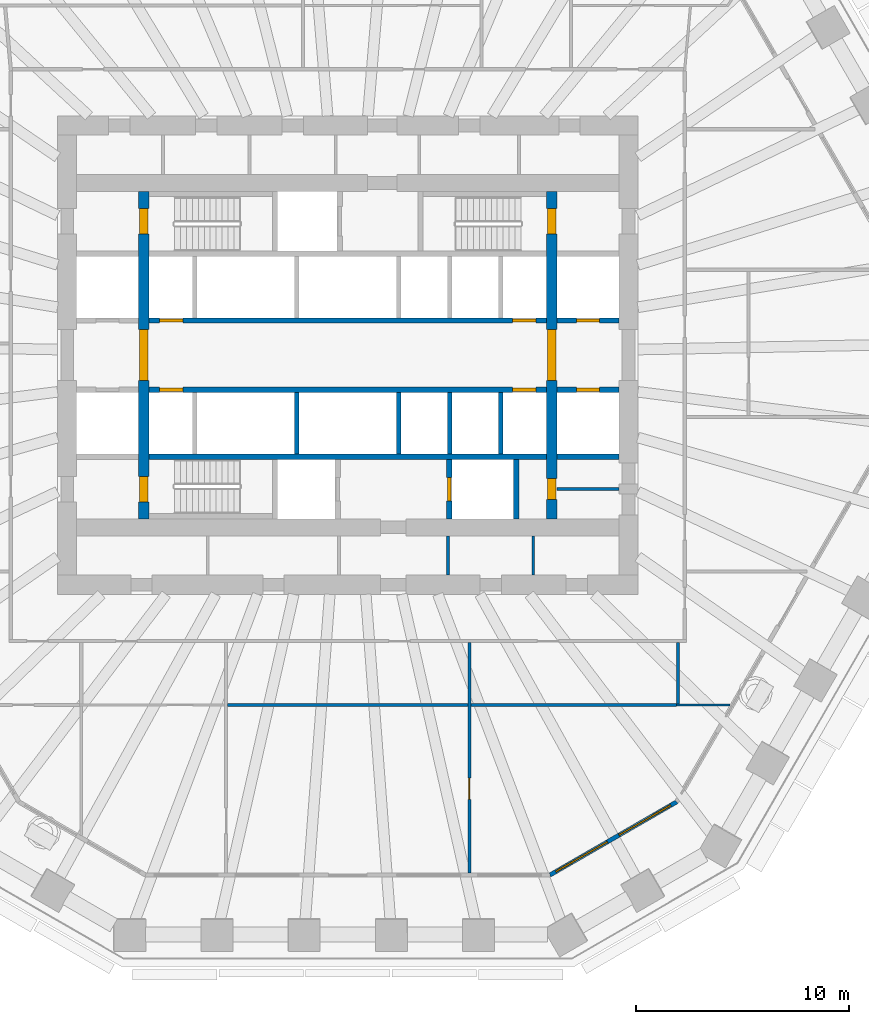
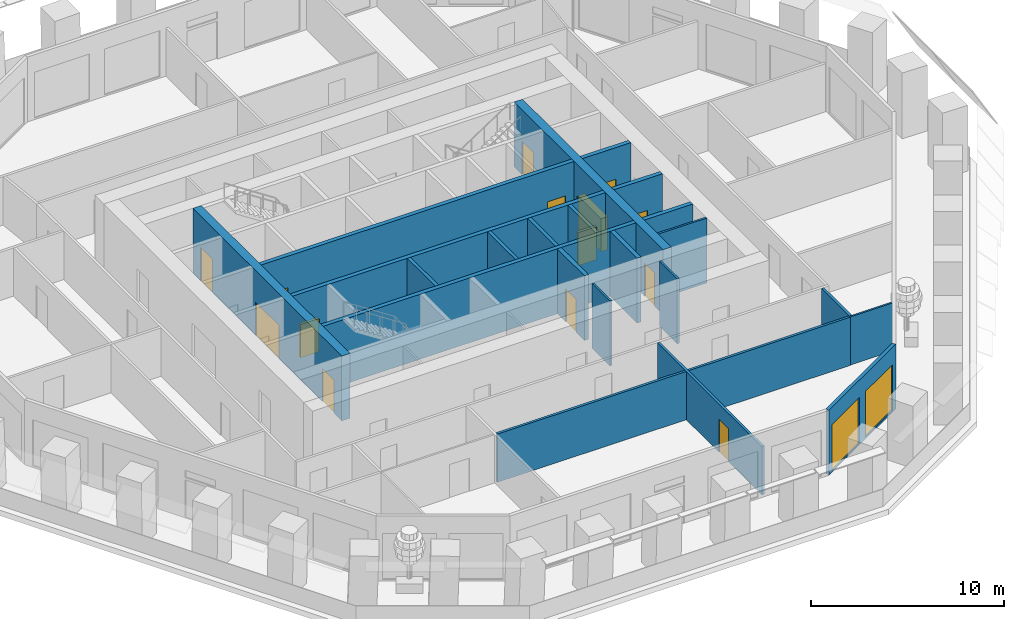
# One storey, part 5 of 13: 22 walls, 14 doors, 2 windows, 16 openings.
"""IFC4 building model written with IfcOpenShell, lengths in metres."""

from ifc_helpers import new_model, si_unit, direction, frame, frame_2d, origin, place, context, subcontext, project, spatial, polyline, rectangle, outline, extrude, material, layer, layer_set, type_object, element, fill, save


model = new_model("IFC4")

# Units and contexts
model_context = context("Model", 3, precision=1e-05, world=origin(), true_north=direction((0.0, 1.0)))
body_context = subcontext(model_context, "Body", "Model", "MODEL_VIEW")
ifc_project = project(units=[si_unit("LENGTHUNIT", "METRE"), si_unit("AREAUNIT", "SQUARE_METRE"), si_unit("VOLUMEUNIT", "CUBIC_METRE"), si_unit("PLANEANGLEUNIT", "RADIAN"), si_unit("MASSUNIT", "GRAM", prefix="KILO")], contexts=[model_context])

# Site, building, storey
site_placement = place(None, origin())
site = spatial("IfcSite", under=ifc_project, at=site_placement, CompositionType="ELEMENT")
building_placement = place(site_placement, origin())
building = spatial("IfcBuilding", under=site, at=building_placement, Name="Frailejon Research Tower", CompositionType="ELEMENT")
storey_placement = place(building_placement, frame((0.0, 0.0, 32.199951171875)))
storey = spatial("IfcBuildingStorey", under=building, at=storey_placement, Name="L07", CompositionType="ELEMENT", Elevation=32.199951171875)

# Walls
ifc_material_1 = material(Name="Plasterboard on steel studs", Category="steel")
ifc_layer_1 = layer(ifc_material_1, 0.125)
ifc_layer_set_1 = layer_set([ifc_layer_1], Name="Core partition 125")
wall_type_1 = type_object("IfcWallType", Name="Core partition 125", PredefinedType="PARTITIONING", material=ifc_layer_set_1)
wall_1_placement = place(storey_placement, frame((9.85009765625, -6.300048828125, 0.0), z_axis=(0.0, 0.0, 1.0), x_axis=(1.0, 0.0, 0.0)))
element("IfcWall", 1, at=wall_1_placement, inside=storey, type_object=wall_type_1, Name="Core partition", PredefinedType="PARTITIONING", context=body_context, shape_type="SweptSolid", body=[
    extrude(rectangle(XDim=2.89990234375, YDim=0.125, at=frame_2d((1.449951171875, 0.0))), origin(), (0.0, 0.0, 1.0), 4.10009765625),
])
for number, where, z_axis, x_axis, name in (
    (2, (4.71240234375, -10.35009765625, 0.0), (0.0, 0.0, 1.0), (0.0, 1.0, 0.0), "Core partition"),
    (3, (8.731201171875, -10.35009765625, 0.0), (0.0, 0.0, 1.0), (0.0, 1.0, 0.0), "Core partition"),
):
    element("IfcWall", number, at=place(storey_placement, frame(where, z_axis=z_axis, x_axis=x_axis)), inside=storey, type_object=wall_type_1, Name=name, PredefinedType="PARTITIONING", context=body_context, shape_type="SweptSolid", body=[
        extrude(rectangle(XDim=1.85009765625, YDim=0.125, at=frame_2d((0.925048828125, 0.0))), origin(), (0.0, 0.0, 1.0), 4.10009765625),
    ])

# Wall, openings, doors
ifc_material_2 = material(Name="Concrete C70/85", Category="concrete")
ifc_layer_2 = layer(ifc_material_2, 0.5)
ifc_layer_set_2 = layer_set([ifc_layer_2], Name="Core shear wall 500 C70/85")
wall_type_2 = type_object("IfcWallType", Name="Core shear wall 500 C70/85", PredefinedType="SHEAR", material=ifc_layer_set_2)
wall_2_placement = place(storey_placement, frame((-9.60009765625, -7.699951171875, 0.0), z_axis=(0.0, 0.0, 1.0), x_axis=(0.0, 1.0, 0.0)))
wall_2 = element("IfcWall", 4, at=wall_2_placement, inside=storey, type_object=wall_type_2, Name="Core shear wall", PredefinedType="SHEAR", context=body_context, shape_type="SweptSolid", body=[
    extrude(rectangle(XDim=15.39990234375, YDim=0.5, at=frame_2d((7.699951171875, 0.0))), origin(), (0.0, 0.0, 1.0), 4.10009765625),
])
opening_1_placement = place(wall_2_placement, frame((6.5, 0.0, 0.0)))
opening_1 = element("IfcOpeningElement", 5, at=opening_1_placement, cuts=wall_2, Name="Opening D2", PredefinedType="OPENING", context=body_context, shape_type="SweptSolid", body=[
    extrude(rectangle(XDim=2.39990234375, YDim=2.10009765625, at=frame_2d((1.199951171875, 1.050048828125))), frame((0.0, 0.260009765625, 0.0), z_axis=(0.0, -1.0, 0.0), x_axis=(1.0, 0.0, 0.0)), (0.0, 0.0, 1.0), 0.52001953125),
])
opening_2_placement = place(wall_2_placement, frame((13.39990234375, 0.0, 0.0)))
opening_2 = element("IfcOpeningElement", 6, at=opening_2_placement, cuts=wall_2, Name="Opening D1", PredefinedType="OPENING", context=body_context, shape_type="SweptSolid", body=[
    extrude(rectangle(XDim=1.199951171875, YDim=2.10009765625, at=frame_2d((0.60009765625, 1.050048828125))), frame((0.0, 0.260009765625, 0.0), z_axis=(0.0, -1.0, 0.0), x_axis=(1.0, 0.0, 0.0)), (0.0, 0.0, 1.0), 0.52001953125),
])
opening_3_placement = place(wall_2_placement, frame((0.800048828125, 0.0, 0.0)))
opening_3 = element("IfcOpeningElement", 7, at=opening_3_placement, cuts=wall_2, Name="Opening D1", PredefinedType="OPENING", context=body_context, shape_type="SweptSolid", body=[
    extrude(rectangle(XDim=1.199951171875, YDim=2.10009765625, at=frame_2d((0.60009765625, 1.050048828125))), frame((0.0, 0.260009765625, 0.0), z_axis=(0.0, -1.0, 0.0), x_axis=(1.0, 0.0, 0.0)), (0.0, 0.0, 1.0), 0.52001953125),
])
ifc_material_3 = material(Name="Steel", Category="steel")
door_type_1 = type_object("IfcDoorType", Name="Lobby double door", OperationType="DOUBLE_DOOR_SINGLE_SWING", PredefinedType="DOOR", material=ifc_material_3)
door_1_placement = place(opening_1_placement, origin())
door_1 = element("IfcDoor", 8, at=door_1_placement, inside=storey, type_object=door_type_1, Name="Lobby door", OperationType="DOUBLE_DOOR_SINGLE_SWING", OverallHeight=2.10009765625, OverallWidth=2.39990234375, PredefinedType="DOOR", context=body_context, shape_type="SweptSolid", body=[
    extrude(rectangle(XDim=2.39990234375, YDim=2.10009765625, at=frame_2d((1.199951171875, 1.050048828125))), frame((0.0, 0.199951171875, 0.0), z_axis=(0.0, -1.0, 0.0), x_axis=(1.0, 0.0, 0.0)), (0.0, 0.0, 1.0), 0.39990234375),
])
fill(opening_1, door_1)
ifc_material_4 = material(Name="Steel", Category="steel")
door_type_2 = type_object("IfcDoorType", Name="Stair door", OperationType="SINGLE_SWING_LEFT", PredefinedType="DOOR", material=ifc_material_4)
door_2_placement = place(opening_2_placement, origin())
door_2 = element("IfcDoor", 9, at=door_2_placement, inside=storey, type_object=door_type_2, Name="Stair door ST1", OperationType="SINGLE_SWING_RIGHT", OverallHeight=2.10009765625, OverallWidth=1.199951171875, PredefinedType="DOOR", context=body_context, shape_type="SweptSolid", body=[
    extrude(rectangle(XDim=1.199951171875, YDim=2.10009765625, at=frame_2d((0.60009765625, 1.050048828125))), frame((0.0, 0.199951171875, 0.0), z_axis=(0.0, -1.0, 0.0), x_axis=(1.0, 0.0, 0.0)), (0.0, 0.0, 1.0), 0.39990234375),
])
fill(opening_2, door_2)
door_3_placement = place(opening_3_placement, origin())
door_3 = element("IfcDoor", 10, at=door_3_placement, inside=storey, type_object=door_type_2, Name="Stair door ST2", OperationType="SINGLE_SWING_RIGHT", OverallHeight=2.10009765625, OverallWidth=1.199951171875, PredefinedType="DOOR", context=body_context, shape_type="SweptSolid", body=[
    extrude(rectangle(XDim=1.199951171875, YDim=2.10009765625, at=frame_2d((0.60009765625, 1.050048828125))), frame((0.0, 0.199951171875, 0.0), z_axis=(0.0, -1.0, 0.0), x_axis=(1.0, 0.0, 0.0)), (0.0, 0.0, 1.0), 0.39990234375),
])
fill(opening_3, door_3)

wall_3_placement = place(storey_placement, frame((9.60009765625, -7.699951171875, 0.0), z_axis=(0.0, 0.0, 1.0), x_axis=(0.0, 1.0, 0.0)))
wall_3 = element("IfcWall", 11, at=wall_3_placement, inside=storey, type_object=wall_type_2, Name="Core shear wall", PredefinedType="SHEAR", context=body_context, shape_type="SweptSolid", body=[
    extrude(rectangle(XDim=15.39990234375, YDim=0.5, at=frame_2d((7.699951171875, 0.0))), origin(), (0.0, 0.0, 1.0), 4.10009765625),
])
opening_4_placement = place(wall_3_placement, frame((6.5, 0.0, 0.0)))
opening_4 = element("IfcOpeningElement", 12, at=opening_4_placement, cuts=wall_3, Name="Opening D2", PredefinedType="OPENING", context=body_context, shape_type="SweptSolid", body=[
    extrude(rectangle(XDim=2.39990234375, YDim=2.10009765625, at=frame_2d((1.199951171875, 1.050048828125))), frame((0.0, 0.260009765625, 0.0), z_axis=(0.0, -1.0, 0.0), x_axis=(1.0, 0.0, 0.0)), (0.0, 0.0, 1.0), 0.52001953125),
])
opening_5_placement = place(wall_3_placement, frame((13.39990234375, 0.0, 0.0)))
opening_5 = element("IfcOpeningElement", 13, at=opening_5_placement, cuts=wall_3, Name="Opening D1", PredefinedType="OPENING", context=body_context, shape_type="SweptSolid", body=[
    extrude(rectangle(XDim=1.199951171875, YDim=2.10009765625, at=frame_2d((0.60009765625, 1.050048828125))), frame((0.0, 0.260009765625, 0.0), z_axis=(0.0, -1.0, 0.0), x_axis=(1.0, 0.0, 0.0)), (0.0, 0.0, 1.0), 0.52001953125),
])
opening_6_placement = place(wall_3_placement, frame((0.89990234375, 0.0, 0.0)))
opening_6 = element("IfcOpeningElement", 14, at=opening_6_placement, cuts=wall_3, Name="Opening D4", PredefinedType="OPENING", context=body_context, shape_type="SweptSolid", body=[
    extrude(rectangle(XDim=1.0, YDim=2.10009765625, at=frame_2d((0.5, 1.050048828125))), frame((0.0, 0.260009765625, 0.0), z_axis=(0.0, -1.0, 0.0), x_axis=(1.0, 0.0, 0.0)), (0.0, 0.0, 1.0), 0.52001953125),
])
door_4_placement = place(opening_4_placement, origin())
door_4 = element("IfcDoor", 15, at=door_4_placement, inside=storey, type_object=door_type_1, Name="Lobby door", OperationType="DOUBLE_DOOR_SINGLE_SWING", OverallHeight=2.10009765625, OverallWidth=2.39990234375, PredefinedType="DOOR", context=body_context, shape_type="SweptSolid", body=[
    extrude(rectangle(XDim=2.39990234375, YDim=2.10009765625, at=frame_2d((1.199951171875, 1.050048828125))), frame((0.0, 0.199951171875, 0.0), z_axis=(0.0, -1.0, 0.0), x_axis=(1.0, 0.0, 0.0)), (0.0, 0.0, 1.0), 0.39990234375),
])
fill(opening_4, door_4)
ifc_material_5 = material(Name="Steel", Category="steel")
door_type_3 = type_object("IfcDoorType", Name="Service door", OperationType="SINGLE_SWING_LEFT", PredefinedType="DOOR", material=ifc_material_5)
door_5_placement = place(opening_6_placement, origin())
door_5 = element("IfcDoor", 16, at=door_5_placement, inside=storey, type_object=door_type_3, Name="Riser door", OperationType="SINGLE_SWING_RIGHT", OverallHeight=2.10009765625, OverallWidth=1.0, PredefinedType="DOOR", context=body_context, shape_type="SweptSolid", body=[
    extrude(rectangle(XDim=1.0, YDim=2.10009765625, at=frame_2d((0.5, 1.050048828125))), frame((0.0, 0.199951171875, 0.0), z_axis=(0.0, -1.0, 0.0), x_axis=(1.0, 0.0, 0.0)), (0.0, 0.0, 1.0), 0.39990234375),
])
fill(opening_6, door_5)
door_6_placement = place(opening_5_placement, origin())
door_6 = element("IfcDoor", 17, at=door_6_placement, inside=storey, type_object=door_type_2, Name="Stair door ST3", OperationType="SINGLE_SWING_RIGHT", OverallHeight=2.10009765625, OverallWidth=1.199951171875, PredefinedType="DOOR", context=body_context, shape_type="SweptSolid", body=[
    extrude(rectangle(XDim=1.199951171875, YDim=2.10009765625, at=frame_2d((0.60009765625, 1.050048828125))), frame((0.0, 0.199951171875, 0.0), z_axis=(0.0, -1.0, 0.0), x_axis=(1.0, 0.0, 0.0)), (0.0, 0.0, 1.0), 0.39990234375),
])
fill(opening_5, door_6)

# Wall
ifc_material_6 = material(Name="Gypsum board and masonry partition", Category="masonry")
ifc_layer_3 = layer(ifc_material_6, 0.14990234375)
ifc_layer_set_3 = layer_set([ifc_layer_3], Name="Laboratory partition, blockwork 150")
wall_type_3 = type_object("IfcWallType", Name="Laboratory partition, blockwork 150", PredefinedType="PARTITIONING", material=ifc_layer_set_3)
wall_4_placement = place(storey_placement, frame((-5.647216796875, -16.449951171875, 0.0), z_axis=(0.0, 0.0, 1.0), x_axis=(1.0, 0.0, 0.0)))
element("IfcWall", 18, at=wall_4_placement, inside=storey, type_object=wall_type_3, Name="T:IW:L07:020", PredefinedType="PARTITIONING", context=body_context, shape_type="SweptSolid", body=[
    extrude(rectangle(XDim=21.109375, YDim=0.14990234375, at=frame_2d((10.5546875, 0.0))), origin(), (0.0, 0.0, 1.0), 3.050048828125),
])

# Wall, opening, door
wall_5_placement = place(storey_placement, frame((5.72216796875, -24.35302734375, 0.0), z_axis=(0.0, 0.0, 1.0), x_axis=(0.0, 1.0, 0.0)))
wall_5 = element("IfcWall", 19, at=wall_5_placement, inside=storey, type_object=wall_type_3, Name="T:IW:L07:023", PredefinedType="PARTITIONING", context=body_context, shape_type="SweptSolid", body=[
    extrude(rectangle(XDim=10.828125, YDim=0.14990234375, at=frame_2d((5.4140625, 0.0))), origin(), (0.0, 0.0, 1.0), 3.050048828125),
])
opening_7_placement = place(wall_5_placement, frame((3.45166015625, 0.0, 0.0)))
opening_7 = element("IfcOpeningElement", 20, at=opening_7_placement, cuts=wall_5, Name="Opening D1341", PredefinedType="OPENING", context=body_context, shape_type="SweptSolid", body=[
    extrude(rectangle(XDim=1.0, YDim=2.10009765625, at=frame_2d((0.5, 1.050048828125))), frame((0.0, 0.0849609375, 0.0), z_axis=(0.0, -1.0, 0.0), x_axis=(1.0, 0.0, 0.0)), (0.0, 0.0, 1.0), 0.169921875),
])
ifc_material_7 = material(Name="Timber door leaf", Category="wood")
door_type_4 = type_object("IfcDoorType", Name="Door single leaf, timber, steel frame 1000", OperationType="NOTDEFINED", PredefinedType="DOOR", material=ifc_material_7)
door_7_placement = place(opening_7_placement, origin())
door_7 = element("IfcDoor", 21, at=door_7_placement, inside=storey, type_object=door_type_4, Name="D1341", OperationType="SINGLE_SWING_RIGHT", OverallHeight=2.10009765625, OverallWidth=1.0, PredefinedType="DOOR", context=body_context, shape_type="SweptSolid", body=[
    extrude(rectangle(XDim=1.0, YDim=2.10009765625, at=frame_2d((0.5, 1.050048828125))), frame((0.0, 0.02490234375, 0.0), z_axis=(0.0, -1.0, 0.0), x_axis=(1.0, 0.0, 0.0)), (0.0, 0.0, 1.0), 0.050048828125),
])
fill(opening_7, door_7)

# Walls
wall_6_placement = place(storey_placement, frame((15.537109375, -16.39990234375, 0.0), z_axis=(0.0, 0.0, 1.0), x_axis=(0.0, 1.0, 0.0)))
element("IfcWall", 22, at=wall_6_placement, inside=storey, type_object=wall_type_3, Name="T:IW:L07:024", PredefinedType="PARTITIONING", context=body_context, shape_type="SweptSolid", body=[
    extrude(rectangle(XDim=2.875, YDim=0.14990234375, at=frame_2d((1.4375, 0.0))), origin(), (0.0, 0.0, 1.0), 3.050048828125),
])
ifc_material_8 = material(Name="Gypsum board and masonry partition", Category="masonry")
ifc_layer_4 = layer(ifc_material_8, 0.10009765625)
ifc_layer_set_4 = layer_set([ifc_layer_4], Name="Partition, gypsum on steel studs 100")
wall_type_4 = type_object("IfcWallType", Name="Partition, gypsum on steel studs 100", PredefinedType="PARTITIONING", material=ifc_layer_set_4)
wall_7_placement = place(storey_placement, frame((15.462158203125, -16.449951171875, 0.0), z_axis=(0.0, 0.0, 1.0), x_axis=(1.0, 0.0, 0.0)))
element("IfcWall", 23, at=wall_7_placement, inside=storey, type_object=wall_type_4, Name="T:IW:L07:031", PredefinedType="PARTITIONING", context=body_context, shape_type="SweptSolid", body=[
    extrude(rectangle(XDim=2.5224609375, YDim=0.10009765625, at=frame_2d((1.26123046875, 0.0))), origin(), (0.0, 0.0, 1.0), 3.050048828125),
])
ifc_material_9 = material(Name="Concrete C70/85", Category="concrete")
ifc_layer_5 = layer(ifc_material_9, 0.199951171875)
ifc_layer_set_5 = layer_set([ifc_layer_5], Name="Shaft wall 200 C70/85")
wall_type_5 = type_object("IfcWallType", Name="Shaft wall 200 C70/85", PredefinedType="SOLIDWALL", material=ifc_layer_set_5)
for number, where, z_axis, x_axis, name in (
    (24, (-2.39990234375, -4.64990234375, 0.0), (0.0, 0.0, 1.0), (0.0, 1.0, 0.0), "Shaft wall"),
    (25, (2.39990234375, -4.64990234375, 0.0), (0.0, 0.0, 1.0), (0.0, 1.0, 0.0), "Shaft wall"),
    (26, (4.800048828125, -4.64990234375, 0.0), (0.0, 0.0, 1.0), (0.0, 1.0, 0.0), "Shaft wall"),
    (27, (7.199951171875, -4.64990234375, 0.0), (0.0, 0.0, 1.0), (0.0, 1.0, 0.0), "Shaft wall"),
):
    element("IfcWall", number, at=place(storey_placement, frame(where, z_axis=z_axis, x_axis=x_axis)), inside=storey, type_object=wall_type_5, Name=name, PredefinedType="SOLIDWALL", context=body_context, shape_type="SweptSolid", body=[
        extrude(rectangle(XDim=2.89990234375, YDim=0.199951171875, at=frame_2d((1.449951171875, 0.0))), origin(), (0.0, 0.0, 1.0), 4.10009765625),
    ])

# Wall, openings, doors
ifc_material_10 = material(Name="Concrete C70/85", Category="concrete")
ifc_layer_6 = layer(ifc_material_10, 0.25)
ifc_layer_set_6 = layer_set([ifc_layer_6], Name="Shaft wall 250 C70/85")
wall_type_6 = type_object("IfcWallType", Name="Shaft wall 250 C70/85", PredefinedType="SOLIDWALL", material=ifc_layer_set_6)
wall_8_placement = place(storey_placement, frame((-9.35009765625, 1.625, 0.0), z_axis=(0.0, 0.0, 1.0), x_axis=(1.0, 0.0, 0.0)))
wall_8 = element("IfcWall", 28, at=wall_8_placement, inside=storey, type_object=wall_type_6, Name="Shaft wall", PredefinedType="SOLIDWALL", context=body_context, shape_type="SweptSolid", body=[
    extrude(rectangle(XDim=18.7001953125, YDim=0.25, at=frame_2d((9.35009765625, 0.0))), origin(), (0.0, 0.0, 1.0), 4.10009765625),
])
opening_8_placement = place(wall_8_placement, frame((0.5, 0.0, 0.0)))
opening_8 = element("IfcOpeningElement", 29, at=opening_8_placement, cuts=wall_8, Name="Opening LD", PredefinedType="OPENING", context=body_context, shape_type="SweptSolid", body=[
    extrude(rectangle(XDim=1.10009765625, YDim=2.10009765625, at=frame_2d((0.550048828125, 1.050048828125))), frame((0.0, 0.135009765625, 0.0), z_axis=(0.0, -1.0, 0.0), x_axis=(1.0, 0.0, 0.0)), (0.0, 0.0, 1.0), 0.27001953125),
])
opening_9_placement = place(wall_8_placement, frame((17.10009765625, 0.0, 0.0)))
opening_9 = element("IfcOpeningElement", 30, at=opening_9_placement, cuts=wall_8, Name="Opening LD", PredefinedType="OPENING", context=body_context, shape_type="SweptSolid", body=[
    extrude(rectangle(XDim=1.10009765625, YDim=2.10009765625, at=frame_2d((0.550048828125, 1.050048828125))), frame((0.0, 0.135009765625, 0.0), z_axis=(0.0, -1.0, 0.0), x_axis=(1.0, 0.0, 0.0)), (0.0, 0.0, 1.0), 0.27001953125),
])
ifc_material_11 = material(Name="Steel", Category="steel")
door_type_5 = type_object("IfcDoorType", Name="Lift landing door", OperationType="DOUBLE_DOOR_SLIDING", PredefinedType="DOOR", material=ifc_material_11)
door_8_placement = place(opening_8_placement, origin())
door_8 = element("IfcDoor", 31, at=door_8_placement, inside=storey, type_object=door_type_5, Name="Lift landing door", OperationType="DOUBLE_DOOR_SLIDING", OverallHeight=2.10009765625, OverallWidth=1.10009765625, PredefinedType="DOOR", context=body_context, shape_type="SweptSolid", body=[
    extrude(rectangle(XDim=1.10009765625, YDim=2.10009765625, at=frame_2d((0.550048828125, 1.050048828125))), frame((0.0, 0.074951171875, 0.0), z_axis=(0.0, -1.0, 0.0), x_axis=(1.0, 0.0, 0.0)), (0.0, 0.0, 1.0), 0.14990234375),
])
fill(opening_8, door_8)
door_9_placement = place(opening_9_placement, origin())
door_9 = element("IfcDoor", 32, at=door_9_placement, inside=storey, type_object=door_type_5, Name="Lift landing door", OperationType="DOUBLE_DOOR_SLIDING", OverallHeight=2.10009765625, OverallWidth=1.10009765625, PredefinedType="DOOR", context=body_context, shape_type="SweptSolid", body=[
    extrude(rectangle(XDim=1.10009765625, YDim=2.10009765625, at=frame_2d((0.550048828125, 1.050048828125))), frame((0.0, 0.074951171875, 0.0), z_axis=(0.0, -1.0, 0.0), x_axis=(1.0, 0.0, 0.0)), (0.0, 0.0, 1.0), 0.14990234375),
])
fill(opening_9, door_9)

# Wall, opening, door
wall_9_placement = place(storey_placement, frame((9.85009765625, 1.625, 0.0), z_axis=(0.0, 0.0, 1.0), x_axis=(1.0, 0.0, 0.0)))
wall_9 = element("IfcWall", 33, at=wall_9_placement, inside=storey, type_object=wall_type_6, Name="Shaft wall", PredefinedType="SOLIDWALL", context=body_context, shape_type="SweptSolid", body=[
    extrude(rectangle(XDim=2.89990234375, YDim=0.25, at=frame_2d((1.449951171875, 0.0))), origin(), (0.0, 0.0, 1.0), 4.10009765625),
])
opening_10_placement = place(wall_9_placement, frame((0.89990234375, 0.0, 0.0)))
opening_10 = element("IfcOpeningElement", 34, at=opening_10_placement, cuts=wall_9, Name="Opening LD", PredefinedType="OPENING", context=body_context, shape_type="SweptSolid", body=[
    extrude(rectangle(XDim=1.10009765625, YDim=2.10009765625, at=frame_2d((0.550048828125, 1.050048828125))), frame((0.0, 0.135009765625, 0.0), z_axis=(0.0, -1.0, 0.0), x_axis=(1.0, 0.0, 0.0)), (0.0, 0.0, 1.0), 0.27001953125),
])
door_10_placement = place(opening_10_placement, origin())
door_10 = element("IfcDoor", 35, at=door_10_placement, inside=storey, type_object=door_type_5, Name="Lift landing door", OperationType="DOUBLE_DOOR_SLIDING", OverallHeight=2.10009765625, OverallWidth=1.10009765625, PredefinedType="DOOR", context=body_context, shape_type="SweptSolid", body=[
    extrude(rectangle(XDim=1.10009765625, YDim=2.10009765625, at=frame_2d((0.550048828125, 1.050048828125))), frame((0.0, 0.074951171875, 0.0), z_axis=(0.0, -1.0, 0.0), x_axis=(1.0, 0.0, 0.0)), (0.0, 0.0, 1.0), 0.14990234375),
])
fill(opening_10, door_10)

# Wall, openings, doors
wall_10_placement = place(storey_placement, frame((-9.35009765625, -1.625, 0.0), z_axis=(0.0, 0.0, 1.0), x_axis=(1.0, 0.0, 0.0)))
wall_10 = element("IfcWall", 36, at=wall_10_placement, inside=storey, type_object=wall_type_6, Name="Shaft wall", PredefinedType="SOLIDWALL", context=body_context, shape_type="SweptSolid", body=[
    extrude(rectangle(XDim=18.7001953125, YDim=0.25, at=frame_2d((9.35009765625, 0.0))), origin(), (0.0, 0.0, 1.0), 4.10009765625),
])
opening_11_placement = place(wall_10_placement, frame((0.5, 0.0, 0.0)))
opening_11 = element("IfcOpeningElement", 37, at=opening_11_placement, cuts=wall_10, Name="Opening LD", PredefinedType="OPENING", context=body_context, shape_type="SweptSolid", body=[
    extrude(rectangle(XDim=1.10009765625, YDim=2.10009765625, at=frame_2d((0.550048828125, 1.050048828125))), frame((0.0, 0.135009765625, 0.0), z_axis=(0.0, -1.0, 0.0), x_axis=(1.0, 0.0, 0.0)), (0.0, 0.0, 1.0), 0.27001953125),
])
opening_12_placement = place(wall_10_placement, frame((17.10009765625, 0.0, 0.0)))
opening_12 = element("IfcOpeningElement", 38, at=opening_12_placement, cuts=wall_10, Name="Opening LD", PredefinedType="OPENING", context=body_context, shape_type="SweptSolid", body=[
    extrude(rectangle(XDim=1.10009765625, YDim=2.10009765625, at=frame_2d((0.550048828125, 1.050048828125))), frame((0.0, 0.135009765625, 0.0), z_axis=(0.0, -1.0, 0.0), x_axis=(1.0, 0.0, 0.0)), (0.0, 0.0, 1.0), 0.27001953125),
])
door_11_placement = place(opening_11_placement, origin())
door_11 = element("IfcDoor", 39, at=door_11_placement, inside=storey, type_object=door_type_5, Name="Lift landing door", OperationType="DOUBLE_DOOR_SLIDING", OverallHeight=2.10009765625, OverallWidth=1.10009765625, PredefinedType="DOOR", context=body_context, shape_type="SweptSolid", body=[
    extrude(rectangle(XDim=1.10009765625, YDim=2.10009765625, at=frame_2d((0.550048828125, 1.050048828125))), frame((0.0, 0.074951171875, 0.0), z_axis=(0.0, -1.0, 0.0), x_axis=(1.0, 0.0, 0.0)), (0.0, 0.0, 1.0), 0.14990234375),
])
fill(opening_11, door_11)
door_12_placement = place(opening_12_placement, origin())
door_12 = element("IfcDoor", 40, at=door_12_placement, inside=storey, type_object=door_type_5, Name="Lift landing door", OperationType="DOUBLE_DOOR_SLIDING", OverallHeight=2.10009765625, OverallWidth=1.10009765625, PredefinedType="DOOR", context=body_context, shape_type="SweptSolid", body=[
    extrude(rectangle(XDim=1.10009765625, YDim=2.10009765625, at=frame_2d((0.550048828125, 1.050048828125))), frame((0.0, 0.074951171875, 0.0), z_axis=(0.0, -1.0, 0.0), x_axis=(1.0, 0.0, 0.0)), (0.0, 0.0, 1.0), 0.14990234375),
])
fill(opening_12, door_12)

# Wall, opening, door
wall_11_placement = place(storey_placement, frame((9.85009765625, -1.625, 0.0), z_axis=(0.0, 0.0, 1.0), x_axis=(1.0, 0.0, 0.0)))
wall_11 = element("IfcWall", 41, at=wall_11_placement, inside=storey, type_object=wall_type_6, Name="Shaft wall", PredefinedType="SOLIDWALL", context=body_context, shape_type="SweptSolid", body=[
    extrude(rectangle(XDim=2.89990234375, YDim=0.25, at=frame_2d((1.449951171875, 0.0))), origin(), (0.0, 0.0, 1.0), 4.10009765625),
])
opening_13_placement = place(wall_11_placement, frame((0.89990234375, 0.0, 0.0)))
opening_13 = element("IfcOpeningElement", 42, at=opening_13_placement, cuts=wall_11, Name="Opening LD", PredefinedType="OPENING", context=body_context, shape_type="SweptSolid", body=[
    extrude(rectangle(XDim=1.10009765625, YDim=2.10009765625, at=frame_2d((0.550048828125, 1.050048828125))), frame((0.0, 0.135009765625, 0.0), z_axis=(0.0, -1.0, 0.0), x_axis=(1.0, 0.0, 0.0)), (0.0, 0.0, 1.0), 0.27001953125),
])
door_13_placement = place(opening_13_placement, origin())
door_13 = element("IfcDoor", 43, at=door_13_placement, inside=storey, type_object=door_type_5, Name="Lift landing door", OperationType="DOUBLE_DOOR_SLIDING", OverallHeight=2.10009765625, OverallWidth=1.10009765625, PredefinedType="DOOR", context=body_context, shape_type="SweptSolid", body=[
    extrude(rectangle(XDim=1.10009765625, YDim=2.10009765625, at=frame_2d((0.550048828125, 1.050048828125))), frame((0.0, 0.074951171875, 0.0), z_axis=(0.0, -1.0, 0.0), x_axis=(1.0, 0.0, 0.0)), (0.0, 0.0, 1.0), 0.14990234375),
])
fill(opening_13, door_13)

# Walls
wall_12_placement = place(storey_placement, frame((-9.35009765625, -4.77490234375, 0.0), z_axis=(0.0, 0.0, 1.0), x_axis=(1.0, 0.0, 0.0)))
element("IfcWall", 44, at=wall_12_placement, inside=storey, type_object=wall_type_6, Name="Shaft wall", PredefinedType="SOLIDWALL", context=body_context, shape_type="SweptSolid", body=[
    extrude(rectangle(XDim=18.7001953125, YDim=0.25, at=frame_2d((9.35009765625, 0.0))), origin(), (0.0, 0.0, 1.0), 4.10009765625),
])
wall_13_placement = place(storey_placement, frame((9.85009765625, -4.77490234375, 0.0), z_axis=(0.0, 0.0, 1.0), x_axis=(1.0, 0.0, 0.0)))
element("IfcWall", 45, at=wall_13_placement, inside=storey, type_object=wall_type_6, Name="Shaft wall", PredefinedType="SOLIDWALL", context=body_context, shape_type="SweptSolid", body=[
    extrude(rectangle(XDim=2.89990234375, YDim=0.25, at=frame_2d((1.449951171875, 0.0))), origin(), (0.0, 0.0, 1.0), 4.10009765625),
])

# Wall, opening, door
wall_14_placement = place(storey_placement, frame((4.77490234375, -7.699951171875, 0.0), z_axis=(0.0, 0.0, 1.0), x_axis=(0.0, 1.0, 0.0)))
wall_14 = element("IfcWall", 46, at=wall_14_placement, inside=storey, type_object=wall_type_6, Name="Shaft wall", PredefinedType="SOLIDWALL", context=body_context, shape_type="SweptSolid", body=[
    extrude(rectangle(XDim=2.800048828125, YDim=0.25, at=frame_2d((1.39990234375, 0.0))), origin(), (0.0, 0.0, 1.0), 4.10009765625),
])
opening_14_placement = place(wall_14_placement, frame((0.85009765625, 0.0, 0.0)))
opening_14 = element("IfcOpeningElement", 47, at=opening_14_placement, cuts=wall_14, Name="Opening LD", PredefinedType="OPENING", context=body_context, shape_type="SweptSolid", body=[
    extrude(rectangle(XDim=1.10009765625, YDim=2.10009765625, at=frame_2d((0.550048828125, 1.050048828125))), frame((0.0, 0.135009765625, 0.0), z_axis=(0.0, -1.0, 0.0), x_axis=(1.0, 0.0, 0.0)), (0.0, 0.0, 1.0), 0.27001953125),
])
door_14_placement = place(opening_14_placement, origin())
door_14 = element("IfcDoor", 48, at=door_14_placement, inside=storey, type_object=door_type_5, Name="Lift landing door", OperationType="DOUBLE_DOOR_SLIDING", OverallHeight=2.10009765625, OverallWidth=1.10009765625, PredefinedType="DOOR", context=body_context, shape_type="SweptSolid", body=[
    extrude(rectangle(XDim=1.10009765625, YDim=2.10009765625, at=frame_2d((0.550048828125, 1.050048828125))), frame((0.0, 0.074951171875, 0.0), z_axis=(0.0, -1.0, 0.0), x_axis=(1.0, 0.0, 0.0)), (0.0, 0.0, 1.0), 0.14990234375),
])
fill(opening_14, door_14)

# Wall
wall_15_placement = place(storey_placement, frame((7.925048828125, -7.699951171875, 0.0), z_axis=(0.0, 0.0, 1.0), x_axis=(0.0, 1.0, 0.0)))
element("IfcWall", 49, at=wall_15_placement, inside=storey, type_object=wall_type_6, Name="Shaft wall", PredefinedType="SOLIDWALL", context=body_context, shape_type="SweptSolid", body=[
    extrude(rectangle(XDim=2.800048828125, YDim=0.25, at=frame_2d((1.39990234375, 0.0))), origin(), (0.0, 0.0, 1.0), 4.10009765625),
])

# Wall, openings, windows
ifc_material_12 = material(Name="Concrete C40/50 precast window wall panel", Category="concrete")
ifc_layer_7 = layer(ifc_material_12, 0.199951171875)
ifc_layer_set_7 = layer_set([ifc_layer_7], Name="Window wall 200")
wall_type_7 = type_object("IfcWallType", Name="Window wall 200", PredefinedType="SOLIDWALL", material=ifc_layer_set_7)
wall_16_placement = place(storey_placement, frame((9.51025390625, -24.453125, 0.0), z_axis=(0.0, 0.0, 1.0), x_axis=(0.866029458321, 0.49999297727, 0.0)))
wall_16 = element("IfcWall", 50, at=wall_16_placement, inside=storey, type_object=wall_type_7, Name="Exterior wall L07", PredefinedType="SOLIDWALL", context=body_context, shape_type="SweptSolid", body=[
    extrude(outline(polyline([(-0.02685546875, -0.10009765625), (1.1279296875, -0.10009765625), (2.282470703125, -0.10009765625), (3.437255859375, -0.10009765625), (4.592041015625, -0.10009765625), (5.74658203125, -0.10009765625), (6.9013671875, -0.10009765625), (6.84765625, 0.10009765625), (5.7109375, 0.10009765625), (4.573974609375, 0.10009765625), (3.437255859375, 0.10009765625), (2.300537109375, 0.10009765625), (1.16357421875, 0.10009765625), (0.02685546875, 0.10009765625), (-0.02685546875, -0.10009765625)])), origin(), (0.0, 0.0, 1.0), 4.10009765625),
])
opening_15_placement = place(wall_16_placement, frame((0.318603515625, 0.0, 0.10009765625)))
opening_15 = element("IfcOpeningElement", 51, at=opening_15_placement, cuts=wall_16, Name="Opening W3", PredefinedType="OPENING", context=body_context, shape_type="SweptSolid", body=[
    extrude(rectangle(XDim=2.800048828125, YDim=2.89990234375, at=frame_2d((1.39990234375, 1.449951171875))), frame((0.0, 0.10986328125, 0.0), z_axis=(0.0, -1.0, 0.0), x_axis=(1.0, 0.0, 0.0)), (0.0, 0.0, 1.0), 0.219970703125),
])
opening_16_placement = place(wall_16_placement, frame((3.756103515625, 0.0, 0.10009765625)))
opening_16 = element("IfcOpeningElement", 52, at=opening_16_placement, cuts=wall_16, Name="Opening W3", PredefinedType="OPENING", context=body_context, shape_type="SweptSolid", body=[
    extrude(rectangle(XDim=2.800048828125, YDim=2.89990234375, at=frame_2d((1.39990234375, 1.449951171875))), frame((0.0, 0.10986328125, 0.0), z_axis=(0.0, -1.0, 0.0), x_axis=(1.0, 0.0, 0.0)), (0.0, 0.0, 1.0), 0.219970703125),
])
ifc_material_13 = material(Name="Aluminium framed double glazing", Category="aluminium")
window_type = type_object("IfcWindowType", Name="Window 2800x2900", PartitioningType="SINGLE_PANEL", PredefinedType="WINDOW", material=ifc_material_13)
window_1_placement = place(opening_15_placement, origin())
window_1 = element("IfcWindow", 53, at=window_1_placement, inside=storey, type_object=window_type, Name="Window L07", OverallHeight=2.89990234375, OverallWidth=2.800048828125, PartitioningType="SINGLE_PANEL", PredefinedType="WINDOW", context=body_context, shape_type="SweptSolid", body=[
    extrude(rectangle(XDim=2.800048828125, YDim=2.89990234375, at=frame_2d((1.39990234375, 1.449951171875))), frame((0.0, 0.030029296875, 0.0), z_axis=(0.0, -1.0, 0.0), x_axis=(1.0, 0.0, 0.0)), (0.0, 0.0, 1.0), 0.06005859375),
])
fill(opening_15, window_1)
window_2_placement = place(opening_16_placement, origin())
window_2 = element("IfcWindow", 54, at=window_2_placement, inside=storey, type_object=window_type, Name="Window L07", OverallHeight=2.89990234375, OverallWidth=2.800048828125, PartitioningType="SINGLE_PANEL", PredefinedType="WINDOW", context=body_context, shape_type="SweptSolid", body=[
    extrude(rectangle(XDim=2.800048828125, YDim=2.89990234375, at=frame_2d((1.39990234375, 1.449951171875))), frame((0.0, 0.030029296875, 0.0), z_axis=(0.0, -1.0, 0.0), x_axis=(1.0, 0.0, 0.0)), (0.0, 0.0, 1.0), 0.06005859375),
])
fill(opening_16, window_2)

save(model, "model.ifc")
